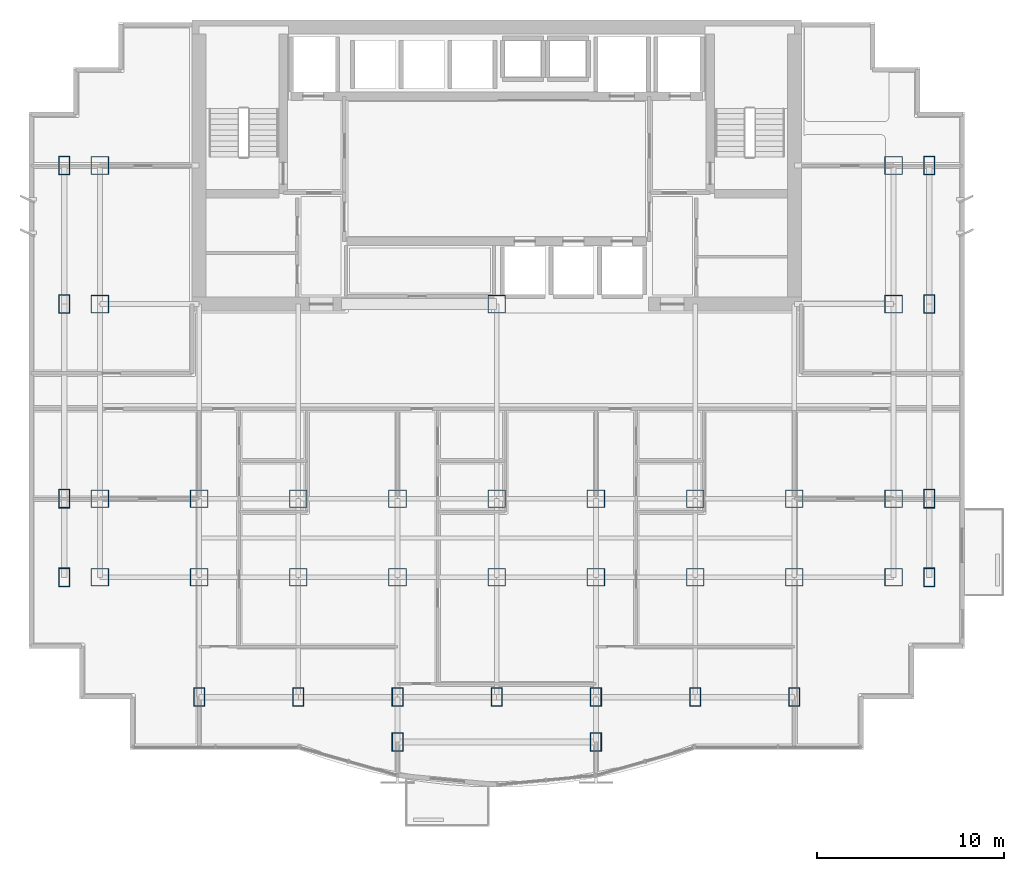
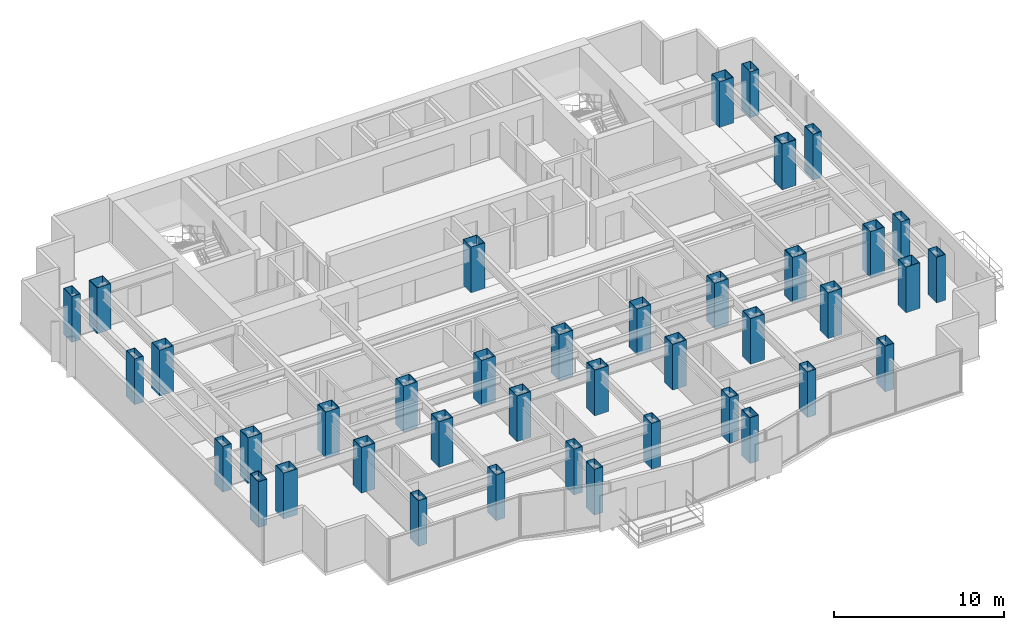
# One storey, part 1 of 9: 40 columns.
"""IFC4 building model written with IfcOpenShell, lengths in metres."""

import ifcopenshell
import ifcopenshell.guid

model = None  # the IFC model being written
_history = None  # IfcOwnerHistory: only IFC2X3 demands one
_inside = {}  # id of a spatial element -> (the spatial element, [elements in it])
_under = {}  # id of a project, library or spatial element -> (it, [spatial elements below it])
_declared = {}  # id of a project -> (the project, [libraries it declares])
_typed = {}  # id of a type object -> (the type object, [elements of that type])
_made_of = {}  # id of a material, layer set ... -> (it, [elements and type objects made of it])


def new_model(schema):
    """Start an empty IFC model of exactly this schema.

    Asked for "IFC4X3", IfcOpenShell would pick the latest addendum, in which some entities
    have other attributes; the version numbers below select the first issue.
    IFC2X3 requires an IfcOwnerHistory on every rooted entity: one is made here for all.
    """
    global model, _history
    if schema == "IFC4X3":
        model = ifcopenshell.file(schema_version=(4, 3, 0, 0))
    else:
        model = ifcopenshell.file(schema=schema)
    _inside.clear()
    _under.clear()
    _declared.clear()
    _typed.clear()
    _made_of.clear()
    _history = None
    if model.schema == "IFC2X3":
        org = make("IfcOrganization", Name="unknown")
        user = make(
            "IfcPersonAndOrganization",
            ThePerson=make("IfcPerson", FamilyName="unknown"),
            TheOrganization=org,
        )
        app = make(
            "IfcApplication",
            ApplicationDeveloper=org,
            Version="unknown",
            ApplicationFullName="unknown",
            ApplicationIdentifier="unknown",
        )
        _history = make(
            "IfcOwnerHistory",
            OwningUser=user,
            OwningApplication=app,
            ChangeAction="ADDED",
            CreationDate=0,
        )
    return model


def make(cls, **values):
    """One entity of the class cls with the attributes given. An attribute that is None is left unset."""
    return model.create_entity(
        cls, **{name: value for name, value in values.items() if value is not None}
    )


def rooted(cls, **values):
    """An entity with a GlobalId (a new one), such as an element, a storey or a relation."""
    return make(cls, GlobalId=ifcopenshell.guid.new(), OwnerHistory=_history, **values)


def si_unit(unit_type, name, prefix=None):
    """IfcSIUnit, for example si_unit("LENGTHUNIT", "METRE", prefix="MILLI")."""
    return make("IfcSIUnit", UnitType=unit_type, Prefix=prefix, Name=name)


def assignment(units):
    """IfcUnitAssignment: the units of a project."""
    return None if units is None else make("IfcUnitAssignment", Units=units)


def point(xyz):
    """IfcCartesianPoint."""
    return None if xyz is None else make("IfcCartesianPoint", Coordinates=xyz)


def direction(xyz):
    """IfcDirection."""
    return None if xyz is None else make("IfcDirection", DirectionRatios=xyz)


def frame(location, z_axis=None, x_axis=None):
    """IfcAxis2Placement3D, a coordinate frame: its origin and axes. An axis left out is left unset."""
    return make(
        "IfcAxis2Placement3D",
        Location=point(location),
        Axis=direction(z_axis),
        RefDirection=direction(x_axis),
    )


def frame_2d(location, x_axis=None):
    """IfcAxis2Placement2D, a coordinate frame in the plane: its origin and x axis."""
    return make(
        "IfcAxis2Placement2D", Location=point(location), RefDirection=direction(x_axis)
    )


def origin():
    """The frame at (0, 0, 0) with its axes left unset."""
    return frame((0.0, 0.0, 0.0))


def origin_2d():
    """The frame at (0, 0) in the plane with its x axis left unset."""
    return frame_2d((0.0, 0.0))


def place(relative_to, where):
    """IfcLocalPlacement: puts the frame where relative to a parent placement (None: the world)."""
    return make(
        "IfcLocalPlacement", PlacementRelTo=relative_to, RelativePlacement=where
    )


def context(
    kind, dimensions, precision=None, world=None, true_north=None, identifier=None
):
    """IfcGeometricRepresentationContext, for example the 3D "Model" context."""
    return make(
        "IfcGeometricRepresentationContext",
        ContextIdentifier=identifier,
        ContextType=kind,
        CoordinateSpaceDimension=dimensions,
        Precision=precision,
        WorldCoordinateSystem=world,
        TrueNorth=true_north,
    )


def subcontext(parent, identifier, kind, view, scale=None):
    """IfcGeometricRepresentationSubContext, for example "Body" below "Model"."""
    return make(
        "IfcGeometricRepresentationSubContext",
        ContextIdentifier=identifier,
        ContextType=kind,
        ParentContext=parent,
        TargetScale=scale,
        TargetView=view,
    )


def project(units=None, contexts=None):
    """IfcProject with its units and contexts."""
    return rooted(
        "IfcProject",
        Name="project",
        RepresentationContexts=contexts,
        UnitsInContext=assignment(units),
    )


def spatial(cls, under=None, at=None, **own):
    """A site, building, storey or space (cls), placed at a placement, below another one or the project."""
    s = rooted(cls, ObjectPlacement=at, **own)
    if under is not None:
        _under.setdefault(under.id(), (under, []))[1].append(s)
    return s


def profile(cls, at=None, kind="AREA", **sizes):
    """A parametric profile (cls). Its sizes go by their IFC names, for example OverallWidth=200.0."""
    return make(cls, ProfileType=kind, Position=at, **sizes)


def hollow_rectangle(**sizes):
    """IfcRectangleHollowProfileDef."""
    return profile("IfcRectangleHollowProfileDef", **sizes)


def extrude(swept, where, along, depth):
    """IfcExtrudedAreaSolid: the profile swept, set in the frame where, extruded along a direction by depth."""
    return make(
        "IfcExtrudedAreaSolid",
        SweptArea=swept,
        Position=where,
        ExtrudedDirection=direction(along),
        Depth=depth,
    )


def shape(context_of_items, identifier, shape_type, items):
    """IfcShapeRepresentation: the items that make up one representation, for example the "Body"."""
    return make(
        "IfcShapeRepresentation",
        ContextOfItems=context_of_items,
        RepresentationIdentifier=identifier,
        RepresentationType=shape_type,
        Items=items,
    )


def material(Name=None, Category=None):
    """IfcMaterial."""
    return make("IfcMaterial", Name=Name, Category=Category)


def material_profile(
    of_material, cross_section, Name=None, Category=None, Priority=None
):
    """IfcMaterialProfile: a cross section and its material."""
    return make(
        "IfcMaterialProfile",
        Name=Name,
        Material=of_material,
        Profile=cross_section,
        Priority=Priority,
        Category=Category,
    )


def profile_set(profiles, Name=None, composite=None):
    """IfcMaterialProfileSet."""
    return make(
        "IfcMaterialProfileSet",
        Name=Name,
        MaterialProfiles=profiles,
        CompositeProfile=composite,
    )


def made_of(thing, what):
    """Note that an element or type object is made of a material, layer set ...; save() writes the relation."""
    if what is not None:
        _made_of.setdefault(what.id(), (what, []))[1].append(thing)
    return thing


def type_object(cls, material=None, **own):
    """A type object (cls), such as IfcWallType, which elements share."""
    return made_of(rooted(cls, **own), material)


def element(
    cls,
    number,
    at=None,
    inside=None,
    cuts=None,
    type_object=None,
    material=None,
    context=None,
    identifier="Body",
    shape_type=None,
    held_by="IfcProductDefinitionShape",
    body=None,
    shapes=None,
    **own,
):
    """One element of the class cls, such as IfcWall. Its Tag is "e" and its number.

    at: its placement. inside: the storey or other place that contains it. cuts: it is an
    opening in that element (IfcRelVoidsElement). A single representation is given by context,
    identifier, shape_type and body (its items); several are given by shapes. held_by: the class
    of the entity that holds the representations. save() writes the other relations.
    """
    e = rooted(cls, Tag="e%d" % number, ObjectPlacement=at, **own)
    if body is not None:
        shapes = [shape(context, identifier, shape_type, body)]
    if shapes is not None:
        e.Representation = make(held_by, Representations=shapes)
    if inside is not None:
        _inside.setdefault(inside.id(), (inside, []))[1].append(e)
    if cuts is not None:
        rooted(
            "IfcRelVoidsElement", RelatingBuildingElement=cuts, RelatedOpeningElement=e
        )
    if type_object is not None:
        _typed.setdefault(type_object.id(), (type_object, []))[1].append(e)
    return made_of(e, material)


def aggregate(whole, parts):
    """IfcRelAggregates: a whole, such as a stair, and the parts it consists of."""
    return rooted("IfcRelAggregates", RelatingObject=whole, RelatedObjects=parts)


def save(model, path):
    """Write the relations noted so far, then the file.

    IfcRelAggregates (storeys below a building ...), IfcRelContainedInSpatialStructure (elements
    in a storey), IfcRelDefinesByType, IfcRelAssociatesMaterial and IfcRelDeclares: one each for
    every whole, place, type object, material and project.
    """
    for whole, parts in _under.values():
        aggregate(whole, parts)
    for where, things in _inside.values():
        rooted(
            "IfcRelContainedInSpatialStructure",
            RelatedElements=things,
            RelatingStructure=where,
        )
    for kind, things in _typed.values():
        rooted("IfcRelDefinesByType", RelatedObjects=things, RelatingType=kind)
    for what, things in _made_of.values():
        rooted("IfcRelAssociatesMaterial", RelatedObjects=things, RelatingMaterial=what)
    for by, libraries in _declared.values():
        rooted("IfcRelDeclares", RelatingContext=by, RelatedDefinitions=libraries)
    model.write(path)


model = new_model("IFC4")

# Units and contexts
model_context = context("Model", 3, precision=1e-05, world=origin(), true_north=direction((0.0, 1.0)))
body_context = subcontext(model_context, "Body", "Model", "MODEL_VIEW")
ifc_project = project(units=[si_unit("LENGTHUNIT", "METRE"), si_unit("AREAUNIT", "SQUARE_METRE"), si_unit("VOLUMEUNIT", "CUBIC_METRE"), si_unit("PLANEANGLEUNIT", "RADIAN"), si_unit("MASSUNIT", "GRAM", prefix="KILO")], contexts=[model_context])

# Site, building, storey
site_placement = place(None, origin())
site = spatial("IfcSite", under=ifc_project, at=site_placement, CompositionType="ELEMENT")
building_placement = place(site_placement, origin())
building = spatial("IfcBuilding", under=site, at=building_placement, Name="Qianlan Lanfeng Residences", CompositionType="ELEMENT")
storey_placement = place(building_placement, frame((0.0, 0.0, 108.10009765625)))
storey = spatial("IfcBuildingStorey", under=building, at=storey_placement, Name="L29", CompositionType="ELEMENT", Elevation=108.10009765625)

# Columns
ifc_material = material(Name="Steel SN490B", Category="steel")
ifc_material_profile_1 = material_profile(ifc_material, hollow_rectangle(XDim=0.949951171875, YDim=0.949951171875, WallThickness=0.031982421875, at=origin_2d()), Name="BOX 950x950x32")
ifc_profile_set_1 = profile_set([ifc_material_profile_1], Name="Steel SN490B")
column_type_1 = type_object("IfcColumnType", Name="C-B1100", PredefinedType="COLUMN", material=ifc_profile_set_1)
for number, where, z_axis, x_axis, name in (
    (1, (26.5, 25.199951171875, 0.0), (0.0, 0.0, 1.0), (1.0, 0.0, 0.0), "L29 Structural Column CP_26.5_25.2"),
    (2, (10.60009765625, 14.800048828125, 0.0), (0.0, 0.0, 1.0), (1.0, 0.0, 0.0), "L29 Structural Column M_10.60_14.80"),
    (3, (10.60009765625, 10.60009765625, 0.0), (0.0, 0.0, 1.0), (1.0, 0.0, 0.0), "L29 Structural Column G_10.60_10.60"),
    (4, (15.89990234375, 14.800048828125, 0.0), (0.0, 0.0, 1.0), (1.0, 0.0, 0.0), "L29 Structural Column M_15.90_14.80"),
    (5, (15.89990234375, 10.60009765625, 0.0), (0.0, 0.0, 1.0), (1.0, 0.0, 0.0), "L29 Structural Column G_15.90_10.60"),
    (6, (21.199951171875, 14.800048828125, 0.0), (0.0, 0.0, 1.0), (1.0, 0.0, 0.0), "L29 Structural Column M_21.20_14.80"),
    (7, (21.199951171875, 10.60009765625, 0.0), (0.0, 0.0, 1.0), (1.0, 0.0, 0.0), "L29 Structural Column G_21.20_10.60"),
    (8, (26.5, 14.800048828125, 0.0), (0.0, 0.0, 1.0), (1.0, 0.0, 0.0), "L29 Structural Column M_26.50_14.80"),
    (9, (26.5, 10.60009765625, 0.0), (0.0, 0.0, 1.0), (1.0, 0.0, 0.0), "L29 Structural Column G_26.50_10.60"),
    (10, (31.800048828125, 14.800048828125, 0.0), (0.0, 0.0, 1.0), (1.0, 0.0, 0.0), "L29 Structural Column M_31.80_14.80"),
    (11, (31.800048828125, 10.60009765625, 0.0), (0.0, 0.0, 1.0), (1.0, 0.0, 0.0), "L29 Structural Column G_31.80_10.60"),
    (12, (37.10009765625, 14.800048828125, 0.0), (0.0, 0.0, 1.0), (1.0, 0.0, 0.0), "L29 Structural Column M_37.10_14.80"),
    (13, (37.10009765625, 10.60009765625, 0.0), (0.0, 0.0, 1.0), (1.0, 0.0, 0.0), "L29 Structural Column G_37.10_10.60"),
    (14, (42.39990234375, 14.800048828125, 0.0), (0.0, 0.0, 1.0), (1.0, 0.0, 0.0), "L29 Structural Column M_42.40_14.80"),
    (15, (42.39990234375, 10.60009765625, 0.0), (0.0, 0.0, 1.0), (1.0, 0.0, 0.0), "L29 Structural Column G_42.40_10.60"),
    (16, (5.300048828125, 10.60009765625, 0.0), (0.0, 0.0, 1.0), (1.0, 0.0, 0.0), "L29 Structural Column W_5.30_10.60"),
    (17, (5.300048828125, 14.800048828125, 0.0), (0.0, 0.0, 1.0), (1.0, 0.0, 0.0), "L29 Structural Column W_5.30_14.80"),
    (18, (5.300048828125, 25.199951171875, 0.0), (0.0, 0.0, 1.0), (1.0, 0.0, 0.0), "L29 Structural Column W_5.30_25.20"),
    (19, (5.300048828125, 32.60009765625, 0.0), (0.0, 0.0, 1.0), (1.0, 0.0, 0.0), "L29 Structural Column W_5.30_32.60"),
    (20, (47.699951171875, 10.60009765625, 0.0), (0.0, 0.0, 1.0), (1.0, 0.0, 0.0), "L29 Structural Column W_47.70_10.60"),
    (21, (47.699951171875, 14.800048828125, 0.0), (0.0, 0.0, 1.0), (1.0, 0.0, 0.0), "L29 Structural Column W_47.70_14.80"),
    (22, (47.699951171875, 25.199951171875, 0.0), (0.0, 0.0, 1.0), (1.0, 0.0, 0.0), "L29 Structural Column W_47.70_25.20"),
    (23, (47.699951171875, 32.60009765625, 0.0), (0.0, 0.0, 1.0), (1.0, 0.0, 0.0), "L29 Structural Column W_47.70_32.60"),
):
    element("IfcColumn", number, at=place(storey_placement, frame(where, z_axis=z_axis, x_axis=x_axis)), inside=storey, type_object=column_type_1, Name=name, PredefinedType="COLUMN", context=body_context, shape_type="SweptSolid", body=[
        extrude(hollow_rectangle(XDim=0.949951171875, YDim=0.949951171875, WallThickness=0.031982421875, at=origin_2d()), origin(), (0.0, 0.0, 1.0), 3.2998046875),
    ])
ifc_material_profile_2 = material_profile(ifc_material, hollow_rectangle(XDim=0.60009765625, YDim=1.0, WallThickness=0.031982421875, at=origin_2d()), Name="BOX 1000x600x32")
ifc_profile_set_2 = profile_set([ifc_material_profile_2], Name="Steel SN490B")
column_type_2 = type_object("IfcColumnType", Name="CE-B1100", PredefinedType="COLUMN", material=ifc_profile_set_2)
for number, where, z_axis, x_axis, name in (
    (24, (21.199951171875, 1.800048828125, 0.0), (0.0, 0.0, 1.0), (1.0, 0.0, 0.0), "L29 Structural Column P_21.20_1.80"),
    (25, (31.800048828125, 1.800048828125, 0.0), (0.0, 0.0, 1.0), (1.0, 0.0, 0.0), "L29 Structural Column P_31.80_1.80"),
    (26, (10.60009765625, 4.199951171875, 0.0), (0.0, 0.0, 1.0), (1.0, 0.0, 0.0), "L29 Structural Column S_10.60_4.20"),
    (27, (15.89990234375, 4.199951171875, 0.0), (0.0, 0.0, 1.0), (1.0, 0.0, 0.0), "L29 Structural Column S_15.90_4.20"),
    (28, (21.199951171875, 4.199951171875, 0.0), (0.0, 0.0, 1.0), (1.0, 0.0, 0.0), "L29 Structural Column S_21.20_4.20"),
    (29, (26.5, 4.199951171875, 0.0), (0.0, 0.0, 1.0), (1.0, 0.0, 0.0), "L29 Structural Column S_26.50_4.20"),
    (30, (31.800048828125, 4.199951171875, 0.0), (0.0, 0.0, 1.0), (1.0, 0.0, 0.0), "L29 Structural Column S_31.80_4.20"),
    (31, (37.10009765625, 4.199951171875, 0.0), (0.0, 0.0, 1.0), (1.0, 0.0, 0.0), "L29 Structural Column S_37.10_4.20"),
    (32, (42.39990234375, 4.199951171875, 0.0), (0.0, 0.0, 1.0), (1.0, 0.0, 0.0), "L29 Structural Column S_42.40_4.20"),
    (33, (3.39990234375, 10.60009765625, 0.0), (0.0, 0.0, 1.0), (1.0, 0.0, 0.0), "L29 Structural Column W_3.40_10.60"),
    (34, (3.39990234375, 14.800048828125, 0.0), (0.0, 0.0, 1.0), (1.0, 0.0, 0.0), "L29 Structural Column W_3.40_14.80"),
    (35, (3.39990234375, 25.199951171875, 0.0), (0.0, 0.0, 1.0), (1.0, 0.0, 0.0), "L29 Structural Column W_3.40_25.20"),
    (36, (3.39990234375, 32.60009765625, 0.0), (0.0, 0.0, 1.0), (1.0, 0.0, 0.0), "L29 Structural Column W_3.40_32.60"),
    (37, (49.60009765625, 10.60009765625, 0.0), (0.0, 0.0, 1.0), (1.0, 0.0, 0.0), "L29 Structural Column W_49.60_10.60"),
    (38, (49.60009765625, 14.800048828125, 0.0), (0.0, 0.0, 1.0), (1.0, 0.0, 0.0), "L29 Structural Column W_49.60_14.80"),
    (39, (49.60009765625, 25.199951171875, 0.0), (0.0, 0.0, 1.0), (1.0, 0.0, 0.0), "L29 Structural Column W_49.60_25.20"),
    (40, (49.60009765625, 32.60009765625, 0.0), (0.0, 0.0, 1.0), (1.0, 0.0, 0.0), "L29 Structural Column W_49.60_32.60"),
):
    element("IfcColumn", number, at=place(storey_placement, frame(where, z_axis=z_axis, x_axis=x_axis)), inside=storey, type_object=column_type_2, Name=name, PredefinedType="COLUMN", context=body_context, shape_type="SweptSolid", body=[
        extrude(hollow_rectangle(XDim=0.60009765625, YDim=1.0, WallThickness=0.031982421875, at=origin_2d()), origin(), (0.0, 0.0, 1.0), 3.2998046875),
    ])

save(model, "model.ifc")
